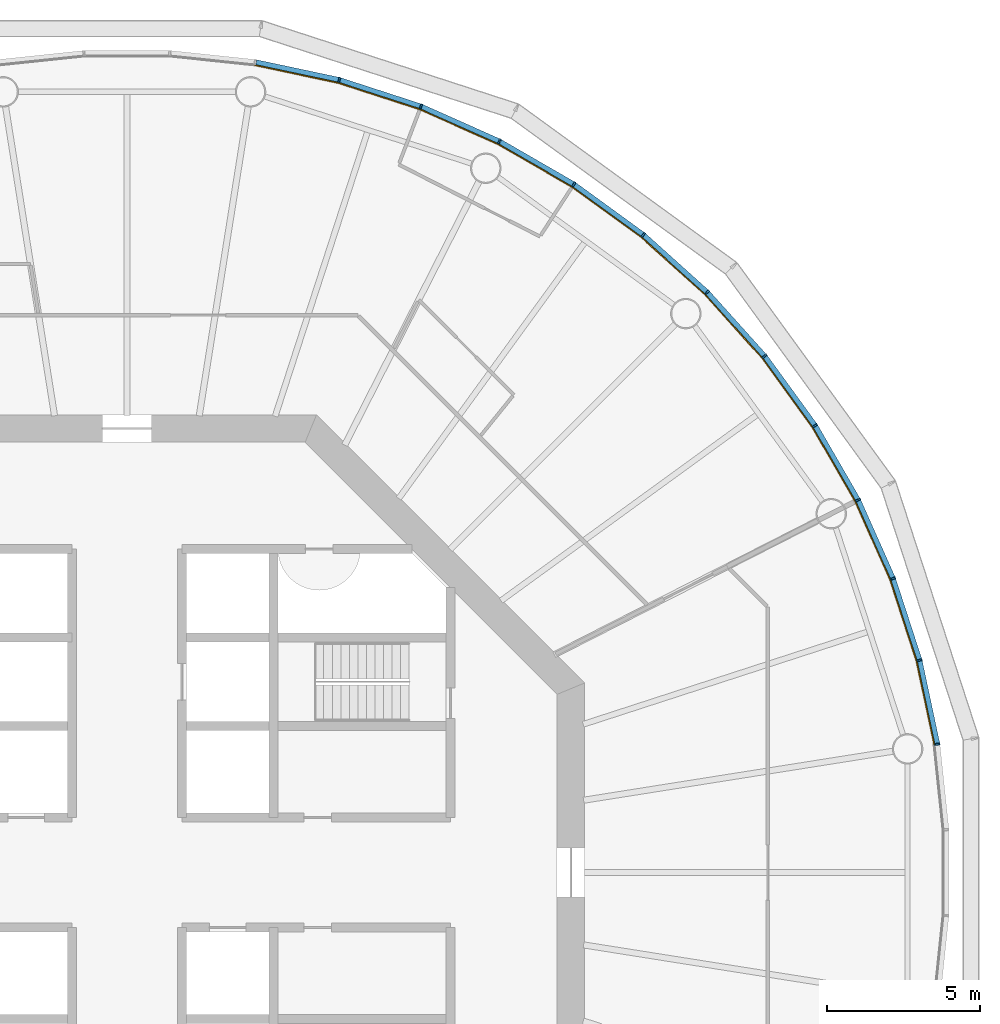
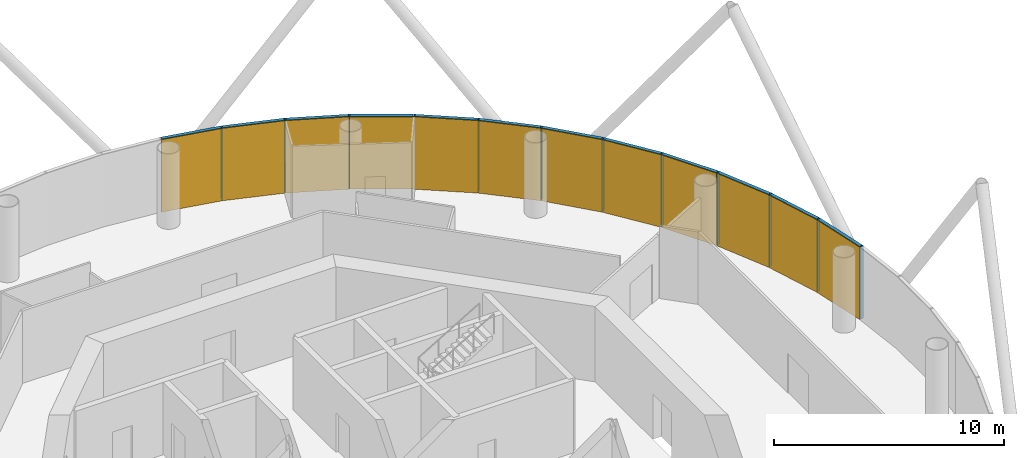
# One storey, part 12 of 13: 24 members, 4 curtain walls.
"""IFC4 building model written with IfcOpenShell, lengths in metres."""

from ifc_helpers import new_model, si_unit, direction, frame, origin, origin_2d, place, context, subcontext, project, spatial, polyline, rectangle, outline, extrude, material, layer, layer_set, material_profile, profile_set, type_object, element, aggregate, save


model = new_model("IFC4")

# Units and contexts
model_context = context("Model", 3, precision=1e-05, world=origin(), true_north=direction((0.0, 1.0)))
body_context = subcontext(model_context, "Body", "Model", "MODEL_VIEW")
ifc_project = project(units=[si_unit("LENGTHUNIT", "METRE"), si_unit("AREAUNIT", "SQUARE_METRE"), si_unit("VOLUMEUNIT", "CUBIC_METRE"), si_unit("PLANEANGLEUNIT", "RADIAN"), si_unit("MASSUNIT", "GRAM", prefix="KILO")], contexts=[model_context])

# Member
ifc_material_1 = material(Name="Anodised aluminium", Category="aluminium")
ifc_material_profile_1 = material_profile(ifc_material_1, rectangle(XDim=0.06005859375, YDim=0.169921875, at=origin_2d()), Name="Mullion 60 x 170 mm anodised aluminium")
ifc_profile_set_1 = profile_set([ifc_material_profile_1], Name="Anodised aluminium")
member_type_1 = type_object("IfcMemberType", Name="Mullion 60 x 170 mm anodised aluminium", PredefinedType="MULLION", material=ifc_profile_set_1)
site_placement = place(None, origin())
building_placement = place(site_placement, origin())
storey_placement = place(building_placement, frame((0.0, 0.0, 250.0)))
member_1_placement = place(storey_placement, frame((116.553955078125, 84.205810546875, 0.0), z_axis=(0.0, 0.0, 1.0), x_axis=(-0.15643446504, 0.987688340595, 0.0)))
member_1 = element("IfcMember", 1, at=member_1_placement, type_object=member_type_1, Name="MULLION L57-00", PredefinedType="MULLION", context=body_context, shape_type="SweptSolid", body=[
    extrude(rectangle(XDim=0.06005859375, YDim=0.169921875, at=origin_2d()), origin(), (0.0, 0.0, 1.0), 3.85009765625),
])

member_2_placement = place(storey_placement, frame((115.968994140625, 86.958251953125, 0.0), z_axis=(0.0, 0.0, 1.0), x_axis=(-0.258819045103, 0.965925826289, 0.0)))
member_2 = element("IfcMember", 2, at=member_2_placement, type_object=member_type_1, Name="MULLION L57-01", PredefinedType="MULLION", context=body_context, shape_type="SweptSolid", body=[
    extrude(rectangle(XDim=0.06005859375, YDim=0.169921875, at=origin_2d()), origin(), (0.0, 0.0, 1.0), 3.85009765625),
])

member_3_placement = place(storey_placement, frame((115.099365234375, 89.634765625, 0.0), z_axis=(0.0, 0.0, 1.0), x_axis=(-0.358367949545, 0.933580426497, 0.0)))
member_3 = element("IfcMember", 3, at=member_3_placement, type_object=member_type_1, Name="MULLION L57-02", PredefinedType="MULLION", context=body_context, shape_type="SweptSolid", body=[
    extrude(rectangle(XDim=0.06005859375, YDim=0.169921875, at=origin_2d()), origin(), (0.0, 0.0, 1.0), 3.85009765625),
])

member_4_placement = place(storey_placement, frame((113.95458984375, 92.20556640625, 0.0), z_axis=(0.0, 0.0, 1.0), x_axis=(-0.45399049974, 0.891006524188, 0.0)))
member_4 = element("IfcMember", 4, at=member_4_placement, type_object=member_type_1, Name="MULLION L57-03", PredefinedType="MULLION", context=body_context, shape_type="SweptSolid", body=[
    extrude(rectangle(XDim=0.06005859375, YDim=0.169921875, at=origin_2d()), origin(), (0.0, 0.0, 1.0), 3.85009765625),
])

member_5_placement = place(storey_placement, frame((112.547607421875, 94.642578125, 0.0), z_axis=(0.0, 0.0, 1.0), x_axis=(-0.544639035015, 0.838670567945, 0.0)))
member_5 = element("IfcMember", 5, at=member_5_placement, type_object=member_type_1, Name="MULLION L57-04", PredefinedType="MULLION", context=body_context, shape_type="SweptSolid", body=[
    extrude(rectangle(XDim=0.06005859375, YDim=0.169921875, at=origin_2d()), origin(), (0.0, 0.0, 1.0), 3.85009765625),
])

member_6_placement = place(storey_placement, frame((110.8935546875, 96.919189453125, 0.0), z_axis=(0.0, 0.0, 1.0), x_axis=(-0.62932039105, 0.777145961457, 0.0)))
member_6 = element("IfcMember", 6, at=member_6_placement, type_object=member_type_1, Name="MULLION L57-05", PredefinedType="MULLION", context=body_context, shape_type="SweptSolid", body=[
    extrude(rectangle(XDim=0.06005859375, YDim=0.169921875, at=origin_2d()), origin(), (0.0, 0.0, 1.0), 3.85009765625),
])

member_7_placement = place(storey_placement, frame((109.010498046875, 99.010498046875, 0.0), z_axis=(0.0, 0.0, 1.0), x_axis=(-0.707106781187, 0.707106781187, 0.0)))
member_7 = element("IfcMember", 7, at=member_7_placement, type_object=member_type_1, Name="MULLION L57-06", PredefinedType="MULLION", context=body_context, shape_type="SweptSolid", body=[
    extrude(rectangle(XDim=0.06005859375, YDim=0.169921875, at=origin_2d()), origin(), (0.0, 0.0, 1.0), 3.85009765625),
])

member_8_placement = place(storey_placement, frame((106.919189453125, 100.8935546875, 0.0), z_axis=(0.0, 0.0, 1.0), x_axis=(-0.777145961457, 0.62932039105, 0.0)))
member_8 = element("IfcMember", 8, at=member_8_placement, type_object=member_type_1, Name="MULLION L57-07", PredefinedType="MULLION", context=body_context, shape_type="SweptSolid", body=[
    extrude(rectangle(XDim=0.06005859375, YDim=0.169921875, at=origin_2d()), origin(), (0.0, 0.0, 1.0), 3.85009765625),
])

member_9_placement = place(storey_placement, frame((104.642578125, 102.547607421875, 0.0), z_axis=(0.0, 0.0, 1.0), x_axis=(-0.838670567945, 0.544639035015, 0.0)))
member_9 = element("IfcMember", 9, at=member_9_placement, type_object=member_type_1, Name="MULLION L57-08", PredefinedType="MULLION", context=body_context, shape_type="SweptSolid", body=[
    extrude(rectangle(XDim=0.06005859375, YDim=0.169921875, at=origin_2d()), origin(), (0.0, 0.0, 1.0), 3.85009765625),
])

member_10_placement = place(storey_placement, frame((102.20556640625, 103.95458984375, 0.0), z_axis=(0.0, 0.0, 1.0), x_axis=(-0.891006524188, 0.45399049974, 0.0)))
member_10 = element("IfcMember", 10, at=member_10_placement, type_object=member_type_1, Name="MULLION L57-09", PredefinedType="MULLION", context=body_context, shape_type="SweptSolid", body=[
    extrude(rectangle(XDim=0.06005859375, YDim=0.169921875, at=origin_2d()), origin(), (0.0, 0.0, 1.0), 3.85009765625),
])

member_11_placement = place(storey_placement, frame((99.634765625, 105.099365234375, 0.0), z_axis=(0.0, 0.0, 1.0), x_axis=(-0.933580426497, 0.358367949545, 0.0)))
member_11 = element("IfcMember", 11, at=member_11_placement, type_object=member_type_1, Name="MULLION L57-10", PredefinedType="MULLION", context=body_context, shape_type="SweptSolid", body=[
    extrude(rectangle(XDim=0.06005859375, YDim=0.169921875, at=origin_2d()), origin(), (0.0, 0.0, 1.0), 3.85009765625),
])

member_12_placement = place(storey_placement, frame((96.958251953125, 105.968994140625, 0.0), z_axis=(0.0, 0.0, 1.0), x_axis=(-0.965925826289, 0.258819045103, 0.0)))
member_12 = element("IfcMember", 12, at=member_12_placement, type_object=member_type_1, Name="MULLION L57-11", PredefinedType="MULLION", context=body_context, shape_type="SweptSolid", body=[
    extrude(rectangle(XDim=0.06005859375, YDim=0.169921875, at=origin_2d()), origin(), (0.0, 0.0, 1.0), 3.85009765625),
])

ifc_material_2 = material(Name="Anodised aluminium", Category="aluminium")
ifc_material_profile_2 = material_profile(ifc_material_2, rectangle(XDim=0.169921875, YDim=0.1650390625, at=origin_2d()), Name="Transom 165 x 170 mm anodised aluminium")
ifc_profile_set_2 = profile_set([ifc_material_profile_2], Name="Anodised aluminium")
member_type_2 = type_object("IfcMemberType", Name="Transom 165 x 170 mm anodised aluminium", PredefinedType="USERDEFINED", material=ifc_profile_set_2)
member_13_placement = place(storey_placement, frame((116.546875, 84.239501953125, 3.767578125), z_axis=(-0.207937468562, 0.97814212115, 0.0), x_axis=(-0.97814212115, -0.207937468562, 0.0)))
member_13 = element("IfcMember", 13, at=member_13_placement, type_object=member_type_2, Name="TRANSOM L57-00", ObjectType="TRANSOM", PredefinedType="USERDEFINED", context=body_context, shape_type="SweptSolid", body=[
    extrude(rectangle(XDim=0.169921875, YDim=0.1650390625, at=origin_2d()), origin(), (0.0, 0.0, 1.0), 2.7451171875),
])

member_14_placement = place(storey_placement, frame((115.95849609375, 86.9912109375, 3.767578125), z_axis=(-0.309041831781, 0.951048445774, 0.0), x_axis=(-0.951048445774, -0.309041831781, 0.0)))
member_14 = element("IfcMember", 14, at=member_14_placement, type_object=member_type_2, Name="TRANSOM L57-01", ObjectType="TRANSOM", PredefinedType="USERDEFINED", context=body_context, shape_type="SweptSolid", body=[
    extrude(rectangle(XDim=0.169921875, YDim=0.1650390625, at=origin_2d()), origin(), (0.0, 0.0, 1.0), 2.7451171875),
])

member_15_placement = place(storey_placement, frame((115.08544921875, 89.666259765625, 3.767578125), z_axis=(-0.406781987391, 0.913525267704, 0.0), x_axis=(-0.913525267704, -0.406781987391, 0.0)))
member_15 = element("IfcMember", 15, at=member_15_placement, type_object=member_type_2, Name="TRANSOM L57-02", ObjectType="TRANSOM", PredefinedType="USERDEFINED", context=body_context, shape_type="SweptSolid", body=[
    extrude(rectangle(XDim=0.169921875, YDim=0.1650390625, at=origin_2d()), origin(), (0.0, 0.0, 1.0), 2.7451171875),
])

member_16_placement = place(storey_placement, frame((113.9375, 92.2353515625, 3.767578125), z_axis=(-0.49998419723, 0.866034527326, 0.0), x_axis=(-0.866034527326, -0.49998419723, 0.0)))
member_16 = element("IfcMember", 16, at=member_16_placement, type_object=member_type_2, Name="TRANSOM L57-03", ObjectType="TRANSOM", PredefinedType="USERDEFINED", context=body_context, shape_type="SweptSolid", body=[
    extrude(rectangle(XDim=0.169921875, YDim=0.1650390625, at=origin_2d()), origin(), (0.0, 0.0, 1.0), 2.7451171875),
])

member_17_placement = place(storey_placement, frame((112.527587890625, 94.670654296875, 3.767578125), z_axis=(-0.587864947412, 0.808959086484, 0.0), x_axis=(-0.808959086484, -0.587864947412, 0.0)))
member_17 = element("IfcMember", 17, at=member_17_placement, type_object=member_type_2, Name="TRANSOM L57-04", ObjectType="TRANSOM", PredefinedType="USERDEFINED", context=body_context, shape_type="SweptSolid", body=[
    extrude(rectangle(XDim=0.169921875, YDim=0.1650390625, at=origin_2d()), origin(), (0.0, 0.0, 1.0), 2.7451171875),
])

member_18_placement = place(storey_placement, frame((110.87060546875, 96.945068359375, 3.767578125), z_axis=(-0.669141598561, 0.743134927907, 0.0), x_axis=(-0.743134927907, -0.669141598561, 0.0)))
member_18 = element("IfcMember", 18, at=member_18_placement, type_object=member_type_2, Name="TRANSOM L57-05", ObjectType="TRANSOM", PredefinedType="USERDEFINED", context=body_context, shape_type="SweptSolid", body=[
    extrude(rectangle(XDim=0.169921875, YDim=0.1650390625, at=origin_2d()), origin(), (0.0, 0.0, 1.0), 2.7451171875),
])

member_19_placement = place(storey_placement, frame((108.985107421875, 99.03369140625, 3.767578125), z_axis=(-0.743134927907, 0.669141598561, 0.0), x_axis=(-0.669141598561, -0.743134927907, 0.0)))
member_19 = element("IfcMember", 19, at=member_19_placement, type_object=member_type_2, Name="TRANSOM L57-06", ObjectType="TRANSOM", PredefinedType="USERDEFINED", context=body_context, shape_type="SweptSolid", body=[
    extrude(rectangle(XDim=0.169921875, YDim=0.1650390625, at=origin_2d()), origin(), (0.0, 0.0, 1.0), 2.7451171875),
])

member_20_placement = place(storey_placement, frame((106.891357421875, 100.913818359375, 3.767578125), z_axis=(-0.808959086484, 0.587864947412, 0.0), x_axis=(-0.587864947412, -0.808959086484, 0.0)))
member_20 = element("IfcMember", 20, at=member_20_placement, type_object=member_type_2, Name="TRANSOM L57-07", ObjectType="TRANSOM", PredefinedType="USERDEFINED", context=body_context, shape_type="SweptSolid", body=[
    extrude(rectangle(XDim=0.169921875, YDim=0.1650390625, at=origin_2d()), origin(), (0.0, 0.0, 1.0), 2.7451171875),
])

member_21_placement = place(storey_placement, frame((104.61279296875, 102.56494140625, 3.767578125), z_axis=(-0.866034527326, 0.49998419723, 0.0), x_axis=(-0.49998419723, -0.866034527326, 0.0)))
member_21 = element("IfcMember", 21, at=member_21_placement, type_object=member_type_2, Name="TRANSOM L57-08", ObjectType="TRANSOM", PredefinedType="USERDEFINED", context=body_context, shape_type="SweptSolid", body=[
    extrude(rectangle(XDim=0.169921875, YDim=0.1650390625, at=origin_2d()), origin(), (0.0, 0.0, 1.0), 2.7451171875),
])

member_22_placement = place(storey_placement, frame((102.174072265625, 103.96875, 3.767578125), z_axis=(-0.913525267704, 0.406781987391, 0.0), x_axis=(-0.406781987391, -0.913525267704, 0.0)))
member_22 = element("IfcMember", 22, at=member_22_placement, type_object=member_type_2, Name="TRANSOM L57-09", ObjectType="TRANSOM", PredefinedType="USERDEFINED", context=body_context, shape_type="SweptSolid", body=[
    extrude(rectangle(XDim=0.169921875, YDim=0.1650390625, at=origin_2d()), origin(), (0.0, 0.0, 1.0), 2.7451171875),
])

member_23_placement = place(storey_placement, frame((99.60205078125, 105.110107421875, 3.767578125), z_axis=(-0.951048445774, 0.309041831781, 0.0), x_axis=(-0.309041831781, -0.951048445774, 0.0)))
member_23 = element("IfcMember", 23, at=member_23_placement, type_object=member_type_2, Name="TRANSOM L57-10", ObjectType="TRANSOM", PredefinedType="USERDEFINED", context=body_context, shape_type="SweptSolid", body=[
    extrude(rectangle(XDim=0.169921875, YDim=0.1650390625, at=origin_2d()), origin(), (0.0, 0.0, 1.0), 2.7451171875),
])

member_24_placement = place(storey_placement, frame((96.924560546875, 105.97607421875, 3.767578125), z_axis=(-0.97814212115, 0.207937468562, 0.0), x_axis=(-0.207937468562, -0.97814212115, 0.0)))
member_24 = element("IfcMember", 24, at=member_24_placement, type_object=member_type_2, Name="TRANSOM L57-11", ObjectType="TRANSOM", PredefinedType="USERDEFINED", context=body_context, shape_type="SweptSolid", body=[
    extrude(rectangle(XDim=0.169921875, YDim=0.1650390625, at=origin_2d()), origin(), (0.0, 0.0, 1.0), 2.7451171875),
])

# Site, building, storey
site = spatial("IfcSite", under=ifc_project, at=site_placement, CompositionType="ELEMENT")
building = spatial("IfcBuilding", under=site, at=building_placement, Name="Entoto Ring Tower", CompositionType="ELEMENT")
storey = spatial("IfcBuildingStorey", under=building, at=storey_placement, Name="L57", CompositionType="ELEMENT", Elevation=250.0)

# Curtain wall
ifc_material_3 = material(Name="Clear low-iron glass", Category="glass")
ifc_layer = layer(ifc_material_3, 0.031982421875)
ifc_layer_set = layer_set([ifc_layer], Name="Clear low-iron glass")
curtain_wall_type = type_object("IfcCurtainWallType", Name="Curtain wall system CW4 glazing 32 mm", PredefinedType="NOTDEFINED", material=ifc_layer_set)
curtain_wall_1_placement = place(storey_placement, origin())
curtain_wall_1 = element("IfcCurtainWall", 25, at=curtain_wall_1_placement, inside=storey, type_object=curtain_wall_type, Name="CW4 L57-01", PredefinedType="NOTDEFINED", context=body_context, shape_type="SweptSolid", body=[
    extrude(outline(polyline([(116.469970703125, 84.1923828125), (115.88671875, 86.936279296875), (115.02001953125, 89.604248046875), (113.87890625, 92.1669921875), (113.850341796875, 92.15234375), (114.989990234375, 89.5927734375), (115.85595703125, 86.927978515625), (116.4384765625, 84.1875), (116.469970703125, 84.1923828125)])), origin(), (0.0, 0.0, 1.0), 3.85009765625),
])

aggregate(curtain_wall_1, [member_1, member_2, member_3, member_13, member_14, member_15])

curtain_wall_2_placement = place(storey_placement, origin())
curtain_wall_2 = element("IfcCurtainWall", 26, at=curtain_wall_2_placement, inside=storey, type_object=curtain_wall_type, Name="CW4 L57-02", PredefinedType="NOTDEFINED", context=body_context, shape_type="SweptSolid", body=[
    extrude(outline(polyline([(113.87890625, 92.1669921875), (112.476318359375, 94.596435546875), (110.827392578125, 96.86572265625), (108.950439453125, 98.950439453125), (108.927734375, 98.927734375), (110.802490234375, 96.845703125), (112.449462890625, 94.578857421875), (113.850341796875, 92.15234375), (113.87890625, 92.1669921875)])), origin(), (0.0, 0.0, 1.0), 3.85009765625),
])

aggregate(curtain_wall_2, [member_4, member_5, member_6, member_16, member_17, member_18])

curtain_wall_3_placement = place(storey_placement, origin())
curtain_wall_3 = element("IfcCurtainWall", 27, at=curtain_wall_3_placement, inside=storey, type_object=curtain_wall_type, Name="CW4 L57-03", PredefinedType="NOTDEFINED", context=body_context, shape_type="SweptSolid", body=[
    extrude(outline(polyline([(108.950439453125, 98.950439453125), (106.86572265625, 100.827392578125), (104.596435546875, 102.476318359375), (102.1669921875, 103.87890625), (102.15234375, 103.850341796875), (104.578857421875, 102.449462890625), (106.845703125, 100.802490234375), (108.927734375, 98.927734375), (108.950439453125, 98.950439453125)])), origin(), (0.0, 0.0, 1.0), 3.85009765625),
])

aggregate(curtain_wall_3, [member_7, member_8, member_9, member_19, member_20, member_21])

curtain_wall_4_placement = place(storey_placement, origin())
curtain_wall_4 = element("IfcCurtainWall", 28, at=curtain_wall_4_placement, inside=storey, type_object=curtain_wall_type, Name="CW4 L57-04", PredefinedType="NOTDEFINED", context=body_context, shape_type="SweptSolid", body=[
    extrude(outline(polyline([(102.1669921875, 103.87890625), (99.604248046875, 105.02001953125), (96.936279296875, 105.88671875), (94.1923828125, 106.469970703125), (94.1875, 106.4384765625), (96.927978515625, 105.85595703125), (99.5927734375, 104.989990234375), (102.15234375, 103.850341796875), (102.1669921875, 103.87890625)])), origin(), (0.0, 0.0, 1.0), 3.85009765625),
])

aggregate(curtain_wall_4, [member_10, member_11, member_12, member_22, member_23, member_24])

save(model, "model.ifc")
